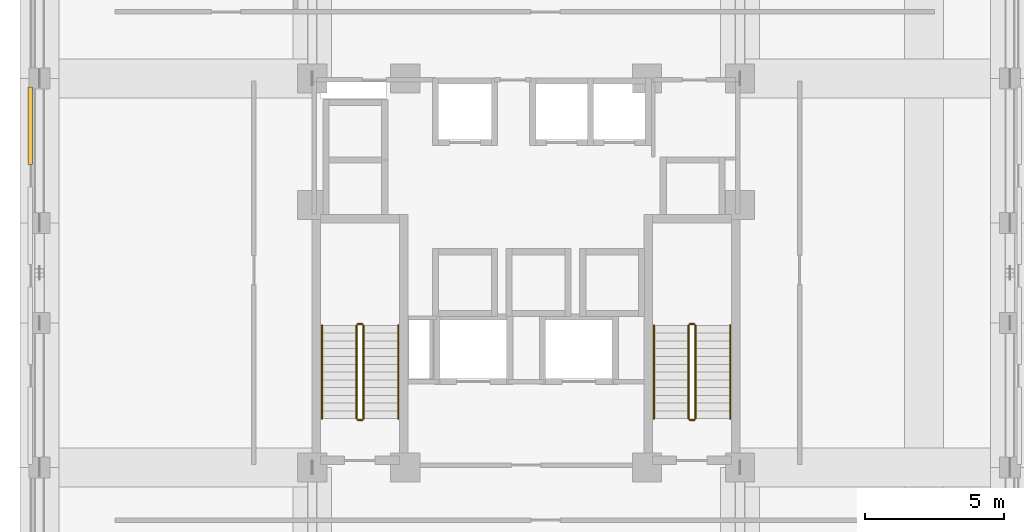
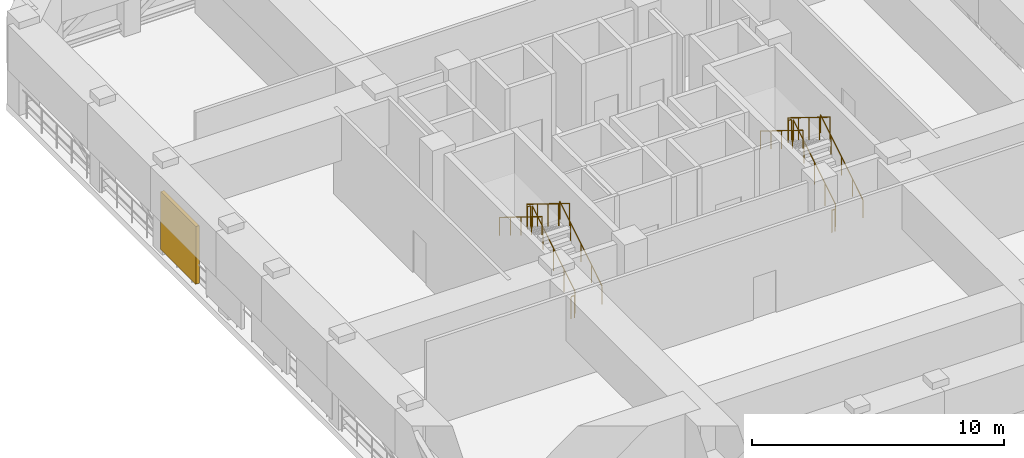
# One storey, part 10 of 11: 12 railings, 1 shading device.
"""IFC4 building model written with IfcOpenShell, lengths in metres."""

from ifc_helpers import new_model, si_unit, derived_unit, direction, frame, origin, origin_2d, place, context, subcontext, project, spatial, rectangle, circle, extrude, material, type_object, element, save


model = new_model("IFC4")

# Units and contexts
model_context = context("Model", 3, precision=1e-05, world=origin(), true_north=direction((0.0, 1.0)))
body_context = subcontext(model_context, "Body", "Model", "MODEL_VIEW")
ifc_project = project(units=[si_unit("LENGTHUNIT", "METRE"), si_unit("AREAUNIT", "SQUARE_METRE"), si_unit("VOLUMEUNIT", "CUBIC_METRE"), si_unit("PLANEANGLEUNIT", "RADIAN"), si_unit("MASSUNIT", "GRAM", prefix="KILO"), derived_unit("THERMALTRANSMITTANCEUNIT", [(si_unit("MASSUNIT", "GRAM", prefix="KILO"), 1), (si_unit("TIMEUNIT", "SECOND"), -3), (si_unit("THERMODYNAMICTEMPERATUREUNIT", "KELVIN"), -1)])], contexts=[model_context])

# Site, building, storey
site_placement = place(None, origin())
site = spatial("IfcSite", under=ifc_project, at=site_placement, CompositionType="ELEMENT")
building_placement = place(site_placement, origin())
building = spatial("IfcBuilding", under=site, at=building_placement, Name="Korrvale Station Residences", CompositionType="ELEMENT")
storey_placement = place(building_placement, frame((0.0, 0.0, 119.89990234375)))
storey = spatial("IfcBuildingStorey", under=building, at=storey_placement, Name="L34", CompositionType="ELEMENT", Elevation=119.89990234375)

# Railings
ifc_material_1 = material(Name="Brushed stainless-steel continuous stair handrail", Category="steel")
railing_type_1 = type_object("IfcRailingType", Name="RLG-SHND-900", PredefinedType="HANDRAIL", material=ifc_material_1)
railing_1_placement = place(storey_placement, frame((20.89990234375, 16.75, 0.173095703125)))
element("IfcRailing", 1, at=railing_1_placement, inside=storey, type_object=railing_type_1, Name="L34 ST-1 stair handrail 1", PredefinedType="HANDRAIL", context=body_context, shape_type="SweptSolid", body=[
    extrude(circle(Radius=0.02392578125, at=origin_2d()), frame((0.0, 0.0, 0.8759765625), z_axis=(0.0, 0.850623216509, 0.525775754039), x_axis=(-1.0, 0.0, 0.0)), (0.0, 0.0, 1.0), 3.9501953125),
    extrude(circle(Radius=0.02099609375, at=origin_2d()), origin(), (0.0, 0.0, 1.0), 0.851806640625),
    extrude(circle(Radius=0.02099609375, at=origin_2d()), frame((0.0, 0.840087890625, 0.519287109375)), (0.0, 0.0, 1.0), 0.851806640625),
    extrude(circle(Radius=0.02099609375, at=origin_2d()), frame((0.0, 1.68017578125, 1.03857421875)), (0.0, 0.0, 1.0), 0.851806640625),
    extrude(circle(Radius=0.02099609375, at=origin_2d()), frame((0.0, 2.52001953125, 1.5576171875)), (0.0, 0.0, 1.0), 0.851806640625),
    extrude(circle(Radius=0.02099609375, at=origin_2d()), frame((0.0, 3.360107421875, 2.076904296875)), (0.0, 0.0, 1.0), 0.851806640625),
])
railing_2_placement = place(storey_placement, frame((18.14990234375, 20.110107421875, 2.423095703125)))
element("IfcRailing", 2, at=railing_2_placement, inside=storey, type_object=railing_type_1, Name="L34 ST-1 stair handrail 2", PredefinedType="HANDRAIL", context=body_context, shape_type="SweptSolid", body=[
    extrude(circle(Radius=0.02392578125, at=origin_2d()), frame((0.0, 0.0, 0.8759765625), z_axis=(0.0, -0.850623216509, 0.525775754039), x_axis=(1.0, 0.0, 0.0)), (0.0, 0.0, 1.0), 3.9501953125),
    extrude(circle(Radius=0.02099609375, at=origin_2d()), origin(), (0.0, 0.0, 1.0), 0.851806640625),
    extrude(circle(Radius=0.02099609375, at=origin_2d()), frame((0.0, -0.840087890625, 0.519287109375)), (0.0, 0.0, 1.0), 0.851806640625),
    extrude(circle(Radius=0.02099609375, at=origin_2d()), frame((0.0, -1.68017578125, 1.03857421875)), (0.0, 0.0, 1.0), 0.851806640625),
    extrude(circle(Radius=0.02099609375, at=origin_2d()), frame((0.0, -2.52001953125, 1.5576171875)), (0.0, 0.0, 1.0), 0.851806640625),
    extrude(circle(Radius=0.02099609375, at=origin_2d()), frame((0.0, -3.360107421875, 2.076904296875)), (0.0, 0.0, 1.0), 0.851806640625),
])
railing_3_placement = place(storey_placement, frame((32.85009765625, 16.75, 0.173095703125)))
element("IfcRailing", 3, at=railing_3_placement, inside=storey, type_object=railing_type_1, Name="L34 ST-2 stair handrail 1", PredefinedType="HANDRAIL", context=body_context, shape_type="SweptSolid", body=[
    extrude(circle(Radius=0.02392578125, at=origin_2d()), frame((0.0, 0.0, 0.8759765625), z_axis=(0.0, 0.850623216509, 0.525775754039), x_axis=(-1.0, 0.0, 0.0)), (0.0, 0.0, 1.0), 3.9501953125),
    extrude(circle(Radius=0.02099609375, at=origin_2d()), origin(), (0.0, 0.0, 1.0), 0.851806640625),
    extrude(circle(Radius=0.02099609375, at=origin_2d()), frame((0.0, 0.840087890625, 0.519287109375)), (0.0, 0.0, 1.0), 0.851806640625),
    extrude(circle(Radius=0.02099609375, at=origin_2d()), frame((0.0, 1.68017578125, 1.03857421875)), (0.0, 0.0, 1.0), 0.851806640625),
    extrude(circle(Radius=0.02099609375, at=origin_2d()), frame((0.0, 2.52001953125, 1.5576171875)), (0.0, 0.0, 1.0), 0.851806640625),
    extrude(circle(Radius=0.02099609375, at=origin_2d()), frame((0.0, 3.360107421875, 2.076904296875)), (0.0, 0.0, 1.0), 0.851806640625),
])
railing_4_placement = place(storey_placement, frame((30.10009765625, 20.110107421875, 2.423095703125)))
element("IfcRailing", 4, at=railing_4_placement, inside=storey, type_object=railing_type_1, Name="L34 ST-2 stair handrail 2", PredefinedType="HANDRAIL", context=body_context, shape_type="SweptSolid", body=[
    extrude(circle(Radius=0.02392578125, at=origin_2d()), frame((0.0, 0.0, 0.8759765625), z_axis=(0.0, -0.850623216509, 0.525775754039), x_axis=(1.0, 0.0, 0.0)), (0.0, 0.0, 1.0), 3.9501953125),
    extrude(circle(Radius=0.02099609375, at=origin_2d()), origin(), (0.0, 0.0, 1.0), 0.851806640625),
    extrude(circle(Radius=0.02099609375, at=origin_2d()), frame((0.0, -0.840087890625, 0.519287109375)), (0.0, 0.0, 1.0), 0.851806640625),
    extrude(circle(Radius=0.02099609375, at=origin_2d()), frame((0.0, -1.68017578125, 1.03857421875)), (0.0, 0.0, 1.0), 0.851806640625),
    extrude(circle(Radius=0.02099609375, at=origin_2d()), frame((0.0, -2.52001953125, 1.5576171875)), (0.0, 0.0, 1.0), 0.851806640625),
    extrude(circle(Radius=0.02099609375, at=origin_2d()), frame((0.0, -3.360107421875, 2.076904296875)), (0.0, 0.0, 1.0), 0.851806640625),
])
ifc_material_2 = material(Name="Galvanised painted tubular steel stair guard", Category="steel")
railing_type_2 = type_object("IfcRailingType", Name="RLG-STR-1100", PredefinedType="GUARDRAIL", material=ifc_material_2)
railing_5_placement = place(storey_placement, frame((19.64990234375, 16.75, 0.173095703125)))
element("IfcRailing", 5, at=railing_5_placement, inside=storey, type_object=railing_type_2, Name="L34 ST-1 stair guard 1", PredefinedType="GUARDRAIL", context=body_context, shape_type="SweptSolid", body=[
    extrude(circle(Radius=0.02392578125, at=origin_2d()), frame((0.0, 0.0, 1.076171875), z_axis=(0.0, 0.850623216509, 0.525775754039), x_axis=(-1.0, 0.0, 0.0)), (0.0, 0.0, 1.0), 3.9501953125),
    extrude(circle(Radius=0.02099609375, at=origin_2d()), origin(), (0.0, 0.0, 1.0), 1.052001953125),
    extrude(circle(Radius=0.02099609375, at=origin_2d()), frame((0.0, 0.840087890625, 0.519287109375)), (0.0, 0.0, 1.0), 1.052001953125),
    extrude(circle(Radius=0.02099609375, at=origin_2d()), frame((0.0, 1.68017578125, 1.03857421875)), (0.0, 0.0, 1.0), 1.052001953125),
    extrude(circle(Radius=0.02099609375, at=origin_2d()), frame((0.0, 2.52001953125, 1.5576171875)), (0.0, 0.0, 1.0), 1.052001953125),
    extrude(circle(Radius=0.02099609375, at=origin_2d()), frame((0.0, 3.360107421875, 2.076904296875)), (0.0, 0.0, 1.0), 1.052001953125),
])
railing_6_placement = place(storey_placement, frame((19.60009765625, 20.159912109375, 2.25)))
element("IfcRailing", 6, at=railing_6_placement, inside=storey, type_object=railing_type_2, Name="L34 ST-1 stair guard 2", PredefinedType="GUARDRAIL", context=body_context, shape_type="SweptSolid", body=[
    extrude(circle(Radius=0.02392578125, at=origin_2d()), frame((0.0, 0.0, 1.076171875), z_axis=(-1.0, 0.0, 0.0), x_axis=(0.0, -1.0, 0.0)), (0.0, 0.0, 1.0), 0.150146484375),
    extrude(circle(Radius=0.02099609375, at=origin_2d()), origin(), (0.0, 0.0, 1.0), 1.052001953125),
    extrude(circle(Radius=0.02099609375, at=origin_2d()), frame((-0.150146484375, 0.0, 0.0)), (0.0, 0.0, 1.0), 1.052001953125),
])
railing_7_placement = place(storey_placement, frame((19.39990234375, 20.110107421875, 2.423095703125)))
element("IfcRailing", 7, at=railing_7_placement, inside=storey, type_object=railing_type_2, Name="L34 ST-1 stair guard 3", PredefinedType="GUARDRAIL", context=body_context, shape_type="SweptSolid", body=[
    extrude(circle(Radius=0.02392578125, at=origin_2d()), frame((0.0, 0.0, 1.076171875), z_axis=(0.0, -0.850623216509, 0.525775754039), x_axis=(1.0, 0.0, 0.0)), (0.0, 0.0, 1.0), 3.9501953125),
    extrude(circle(Radius=0.02099609375, at=origin_2d()), origin(), (0.0, 0.0, 1.0), 1.052001953125),
    extrude(circle(Radius=0.02099609375, at=origin_2d()), frame((0.0, -0.840087890625, 0.519287109375)), (0.0, 0.0, 1.0), 1.052001953125),
    extrude(circle(Radius=0.02099609375, at=origin_2d()), frame((0.0, -1.68017578125, 1.03857421875)), (0.0, 0.0, 1.0), 1.052001953125),
    extrude(circle(Radius=0.02099609375, at=origin_2d()), frame((0.0, -2.52001953125, 1.5576171875)), (0.0, 0.0, 1.0), 1.052001953125),
    extrude(circle(Radius=0.02099609375, at=origin_2d()), frame((0.0, -3.360107421875, 2.076904296875)), (0.0, 0.0, 1.0), 1.052001953125),
])
railing_8_placement = place(storey_placement, frame((19.60009765625, 16.699951171875, 0.0)))
element("IfcRailing", 8, at=railing_8_placement, inside=storey, type_object=railing_type_2, Name="L34 ST-1 stair guard 4", PredefinedType="GUARDRAIL", context=body_context, shape_type="SweptSolid", body=[
    extrude(circle(Radius=0.02392578125, at=origin_2d()), frame((0.0, 0.0, 1.076171875), z_axis=(-1.0, 0.0, 0.0), x_axis=(0.0, -1.0, 0.0)), (0.0, 0.0, 1.0), 0.150146484375),
    extrude(circle(Radius=0.02099609375, at=origin_2d()), origin(), (0.0, 0.0, 1.0), 1.052001953125),
    extrude(circle(Radius=0.02099609375, at=origin_2d()), frame((-0.150146484375, 0.0, 0.0)), (0.0, 0.0, 1.0), 1.052001953125),
])
railing_9_placement = place(storey_placement, frame((31.60009765625, 16.75, 0.173095703125)))
element("IfcRailing", 9, at=railing_9_placement, inside=storey, type_object=railing_type_2, Name="L34 ST-2 stair guard 1", PredefinedType="GUARDRAIL", context=body_context, shape_type="SweptSolid", body=[
    extrude(circle(Radius=0.02392578125, at=origin_2d()), frame((0.0, 0.0, 1.076171875), z_axis=(0.0, 0.850623216509, 0.525775754039), x_axis=(-1.0, 0.0, 0.0)), (0.0, 0.0, 1.0), 3.9501953125),
    extrude(circle(Radius=0.02099609375, at=origin_2d()), origin(), (0.0, 0.0, 1.0), 1.052001953125),
    extrude(circle(Radius=0.02099609375, at=origin_2d()), frame((0.0, 0.840087890625, 0.519287109375)), (0.0, 0.0, 1.0), 1.052001953125),
    extrude(circle(Radius=0.02099609375, at=origin_2d()), frame((0.0, 1.68017578125, 1.03857421875)), (0.0, 0.0, 1.0), 1.052001953125),
    extrude(circle(Radius=0.02099609375, at=origin_2d()), frame((0.0, 2.52001953125, 1.5576171875)), (0.0, 0.0, 1.0), 1.052001953125),
    extrude(circle(Radius=0.02099609375, at=origin_2d()), frame((0.0, 3.360107421875, 2.076904296875)), (0.0, 0.0, 1.0), 1.052001953125),
])
railing_10_placement = place(storey_placement, frame((31.550048828125, 20.159912109375, 2.25)))
element("IfcRailing", 10, at=railing_10_placement, inside=storey, type_object=railing_type_2, Name="L34 ST-2 stair guard 2", PredefinedType="GUARDRAIL", context=body_context, shape_type="SweptSolid", body=[
    extrude(circle(Radius=0.02392578125, at=origin_2d()), frame((0.0, 0.0, 1.076171875), z_axis=(-1.0, 0.0, 0.0), x_axis=(0.0, -1.0, 0.0)), (0.0, 0.0, 1.0), 0.150146484375),
    extrude(circle(Radius=0.02099609375, at=origin_2d()), origin(), (0.0, 0.0, 1.0), 1.052001953125),
    extrude(circle(Radius=0.02099609375, at=origin_2d()), frame((-0.150146484375, 0.0, 0.0)), (0.0, 0.0, 1.0), 1.052001953125),
])
railing_11_placement = place(storey_placement, frame((31.35009765625, 20.110107421875, 2.423095703125)))
element("IfcRailing", 11, at=railing_11_placement, inside=storey, type_object=railing_type_2, Name="L34 ST-2 stair guard 3", PredefinedType="GUARDRAIL", context=body_context, shape_type="SweptSolid", body=[
    extrude(circle(Radius=0.02392578125, at=origin_2d()), frame((0.0, 0.0, 1.076171875), z_axis=(0.0, -0.850623216509, 0.525775754039), x_axis=(1.0, 0.0, 0.0)), (0.0, 0.0, 1.0), 3.9501953125),
    extrude(circle(Radius=0.02099609375, at=origin_2d()), origin(), (0.0, 0.0, 1.0), 1.052001953125),
    extrude(circle(Radius=0.02099609375, at=origin_2d()), frame((0.0, -0.840087890625, 0.519287109375)), (0.0, 0.0, 1.0), 1.052001953125),
    extrude(circle(Radius=0.02099609375, at=origin_2d()), frame((0.0, -1.68017578125, 1.03857421875)), (0.0, 0.0, 1.0), 1.052001953125),
    extrude(circle(Radius=0.02099609375, at=origin_2d()), frame((0.0, -2.52001953125, 1.5576171875)), (0.0, 0.0, 1.0), 1.052001953125),
    extrude(circle(Radius=0.02099609375, at=origin_2d()), frame((0.0, -3.360107421875, 2.076904296875)), (0.0, 0.0, 1.0), 1.052001953125),
])
railing_12_placement = place(storey_placement, frame((31.550048828125, 16.699951171875, 0.0)))
element("IfcRailing", 12, at=railing_12_placement, inside=storey, type_object=railing_type_2, Name="L34 ST-2 stair guard 4", PredefinedType="GUARDRAIL", context=body_context, shape_type="SweptSolid", body=[
    extrude(circle(Radius=0.02392578125, at=origin_2d()), frame((0.0, 0.0, 1.076171875), z_axis=(-1.0, 0.0, 0.0), x_axis=(0.0, -1.0, 0.0)), (0.0, 0.0, 1.0), 0.150146484375),
    extrude(circle(Radius=0.02099609375, at=origin_2d()), origin(), (0.0, 0.0, 1.0), 1.052001953125),
    extrude(circle(Radius=0.02099609375, at=origin_2d()), frame((-0.150146484375, 0.0, 0.0)), (0.0, 0.0, 1.0), 1.052001953125),
])

# Shading device
ifc_material_3 = material(Name="Powder-coated aluminium acoustic louvre", Category="aluminium")
shading_device_type = type_object("IfcShadingDeviceType", Name="SHD-LVR-REF", PredefinedType="USERDEFINED", material=ifc_material_3)
shading_device_placement = place(storey_placement, frame((7.64990234375, 27.300048828125, 0.25), z_axis=(0.0, 0.0, 1.0), x_axis=(1.0, 0.0, 0.0)))
element("IfcShadingDevice", 13, at=shading_device_placement, inside=storey, type_object=shading_device_type, Name="L34 Open Refuge Band Acoustic Storm Louvre West 4", ObjectType="LOUVRE", PredefinedType="USERDEFINED", context=body_context, shape_type="SweptSolid", body=[
    extrude(rectangle(XDim=0.159912109375, YDim=2.800048828125, at=origin_2d()), origin(), (0.0, 0.0, 1.0), 2.800048828125),
])

save(model, "model.ifc")
